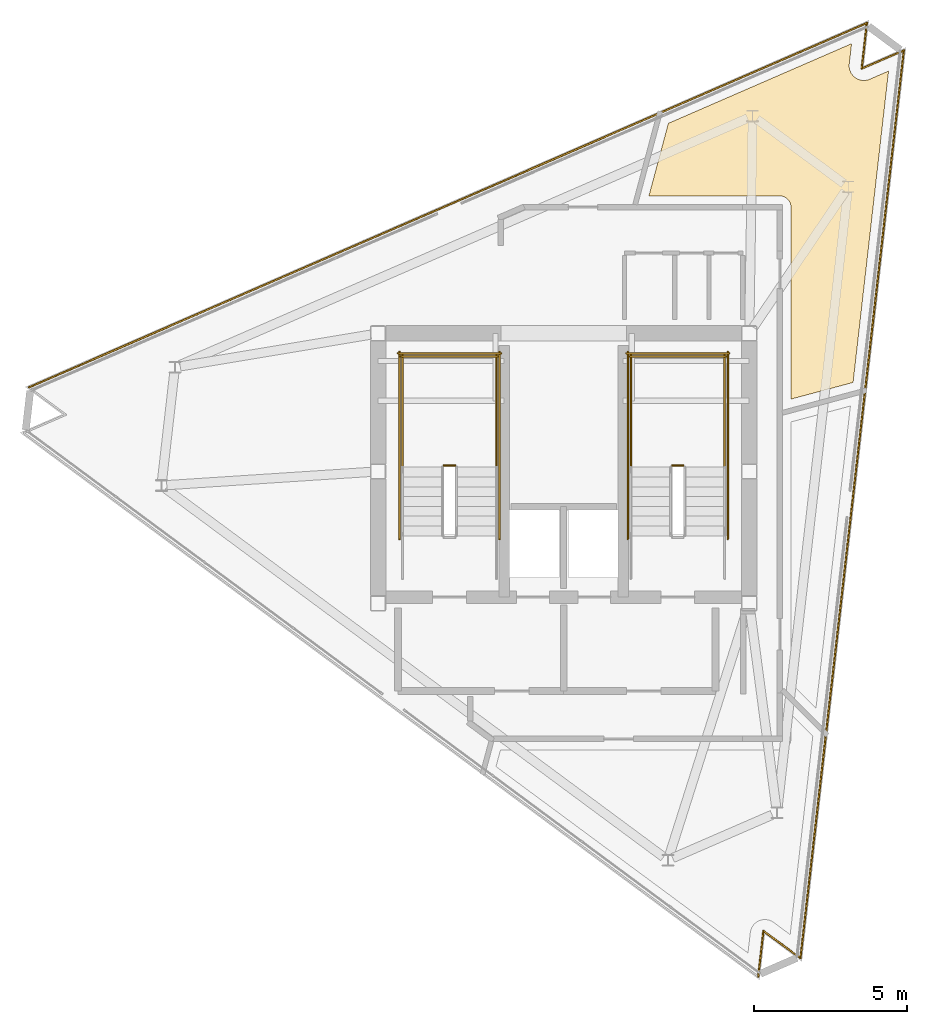
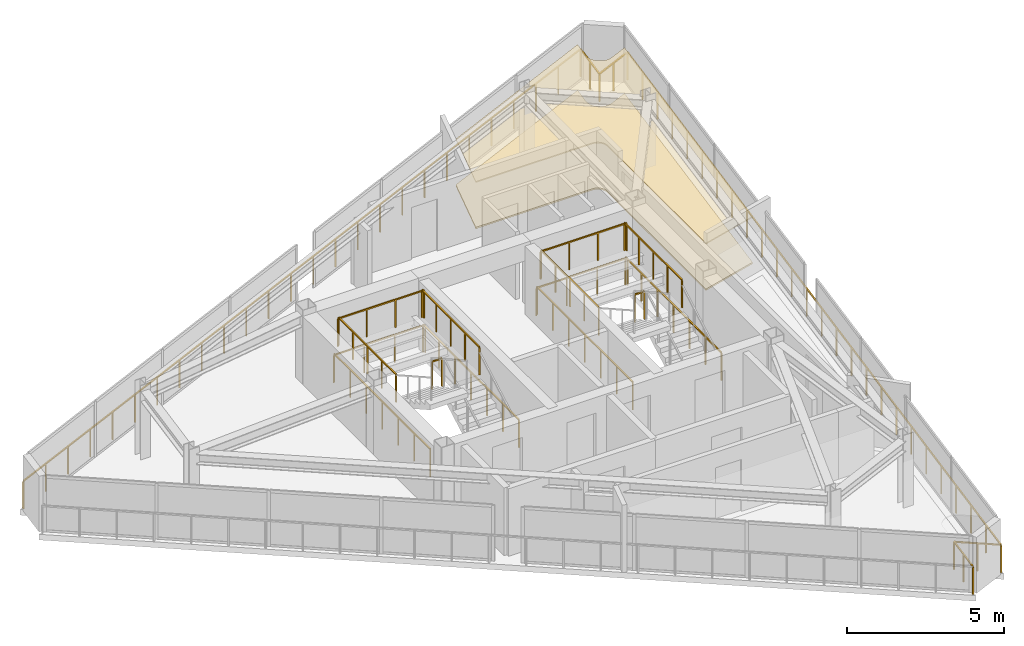
# One storey, part 9 of 9: 16 railings, 2 coverings.
"""IFC4 building model written with IfcOpenShell, lengths in metres."""

from ifc_helpers import new_model, si_unit, direction, frame, origin, origin_2d, place, context, subcontext, project, spatial, polyline, rectangle, outline, extrude, material, layer, layer_set, type_object, element, save


model = new_model("IFC4")

# Units and contexts
model_context = context("Model", 3, precision=1e-05, world=origin(), true_north=direction((0.0, 1.0)))
body_context = subcontext(model_context, "Body", "Model", "MODEL_VIEW")
ifc_project = project(units=[si_unit("LENGTHUNIT", "METRE"), si_unit("AREAUNIT", "SQUARE_METRE"), si_unit("VOLUMEUNIT", "CUBIC_METRE"), si_unit("PLANEANGLEUNIT", "RADIAN"), si_unit("MASSUNIT", "GRAM", prefix="KILO")], contexts=[model_context])

# Site, building, storey
site_placement = place(None, origin())
site = spatial("IfcSite", under=ifc_project, at=site_placement, CompositionType="ELEMENT")
building_placement = place(site_placement, origin())
building = spatial("IfcBuilding", under=site, at=building_placement, Name="Rocaltana Carrier Exchange", CompositionType="ELEMENT")
storey_placement = place(building_placement, frame((0.0, 0.0, 246.239990234375)))
storey = spatial("IfcBuildingStorey", under=building, at=storey_placement, Name="L78", CompositionType="ELEMENT", Elevation=246.239990234375)

# Coverings
ifc_material_1 = material(Name="Calcium Sulphate & Aluminium Pedestal", Category="aluminium")
ifc_layer_1 = layer(ifc_material_1, 0.06005859375)
ifc_layer_set_1 = layer_set([ifc_layer_1], Name="Calcium Sulphate & Aluminium Pedestal")
covering_type_1 = type_object("IfcCoveringType", Name="Anti-Static Raised Exchange Access Floor 60", PredefinedType="FLOORING", material=ifc_layer_set_1)
covering_1_placement = place(storey_placement, origin())
element("IfcCovering", 1, at=covering_1_placement, inside=storey, type_object=covering_type_1, Name="L78 Peering Conference Room Finish Floor", PredefinedType="FLOORING", context=body_context, shape_type="SweptSolid", body=[
    extrude(outline(polyline([(9.38623046875, 13.94580078125), (9.310546875, 13.28125), (9.309326171875, 13.267333984375), (9.30810546875, 13.24755859375), (9.3076171875, 13.219482421875), (9.308349609375, 13.19970703125), (9.310791015625, 13.171875), (9.3134765625, 13.152099609375), (9.318603515625, 13.124755859375), (9.3232421875, 13.105224609375), (9.331298828125, 13.07861328125), (9.337890625, 13.059814453125), (9.34814453125, 13.03369140625), (9.356689453125, 13.015625), (9.36962890625, 12.990966796875), (9.3798828125, 12.973876953125), (9.395263671875, 12.95068359375), (9.406982421875, 12.9345703125), (9.4248046875, 12.912841796875), (9.43798828125, 12.898193359375), (9.457763671875, 12.87841796875), (9.472412109375, 12.864990234375), (9.494140625, 12.847412109375), (9.51025390625, 12.83544921875), (9.533447265625, 12.81982421875), (9.550537109375, 12.809814453125), (9.5751953125, 12.796630859375), (9.59326171875, 12.7880859375), (9.619140625, 12.777587890625), (9.637939453125, 12.77099609375), (9.664794921875, 12.76318359375), (9.68408203125, 12.75830078125), (9.71142578125, 12.753173828125), (9.731201171875, 12.75048828125), (9.759033203125, 12.748046875), (9.77880859375, 12.747314453125), (9.806884765625, 12.74755859375), (9.826904296875, 12.748779296875), (9.8544921875, 12.751708984375), (9.874267578125, 12.7548828125), (9.901611328125, 12.760986328125), (9.920654296875, 12.76611328125), (9.947265625, 12.7744140625), (9.966064453125, 12.781494140625), (9.97900390625, 12.786865234375), (10.592041015625, 13.053466796875), (9.435302734375, 2.90087890625), (7.409912109375, 2.358154296875), (7.409912109375, 8.6201171875), (7.40966796875, 8.6337890625), (7.4091796875, 8.6416015625), (7.406494140625, 8.6689453125), (7.405517578125, 8.6767578125), (7.400146484375, 8.70361328125), (7.398193359375, 8.711181640625), (7.39013671875, 8.737548828125), (7.387451171875, 8.744873046875), (7.376953125, 8.770263671875), (7.373779296875, 8.77734375), (7.360595703125, 8.8017578125), (7.356689453125, 8.808349609375), (7.34130859375, 8.831298828125), (7.336669921875, 8.83740234375), (7.3193359375, 8.85888671875), (7.31396484375, 8.864501953125), (7.294677734375, 8.884033203125), (7.288818359375, 8.889404296875), (7.267578125, 8.90673828125), (7.26123046875, 8.911376953125), (7.23828125, 8.9267578125), (7.231689453125, 8.9306640625), (7.20751953125, 8.943603515625), (7.2001953125, 8.947021484375), (7.1748046875, 8.95751953125), (7.16748046875, 8.960205078125), (7.141357421875, 8.96826171875), (7.133544921875, 8.97021484375), (7.106689453125, 8.975341796875), (7.098876953125, 8.9765625), (7.071533203125, 8.979248046875), (7.063720703125, 8.979736328125), (7.050048828125, 8.97998046875), (2.77880859375, 8.97998046875), (3.41357421875, 11.3486328125), (9.38623046875, 13.94580078125)])), origin(), (0.0, 0.0, 1.0), 0.06005859375),
])
ifc_material_2 = material(Name="Mineral Fibre & Powder-Coated Aluminium", Category="aluminium")
ifc_layer_2 = layer(ifc_material_2, 0.044921875)
ifc_layer_set_2 = layer_set([ifc_layer_2], Name="Mineral Fibre & Powder-Coated Aluminium")
covering_type_2 = type_object("IfcCoveringType", Name="Micro-Perforated Acoustic Ceiling 45", PredefinedType="CEILING", material=ifc_layer_set_2)
covering_2_placement = place(storey_placement, frame((0.0, 0.0, 1.79296875)))
element("IfcCovering", 2, at=covering_2_placement, inside=storey, type_object=covering_type_2, Name="L78 Peering Conference Room Acoustic Ceiling", PredefinedType="CEILING", context=body_context, shape_type="SweptSolid", body=[
    extrude(outline(polyline([(9.38623046875, 13.94580078125), (9.310546875, 13.28125), (9.309326171875, 13.267333984375), (9.30810546875, 13.24755859375), (9.3076171875, 13.219482421875), (9.308349609375, 13.19970703125), (9.310791015625, 13.171875), (9.3134765625, 13.152099609375), (9.318603515625, 13.124755859375), (9.3232421875, 13.105224609375), (9.331298828125, 13.07861328125), (9.337890625, 13.059814453125), (9.34814453125, 13.03369140625), (9.356689453125, 13.015625), (9.36962890625, 12.990966796875), (9.3798828125, 12.973876953125), (9.395263671875, 12.95068359375), (9.406982421875, 12.9345703125), (9.4248046875, 12.912841796875), (9.43798828125, 12.898193359375), (9.457763671875, 12.87841796875), (9.472412109375, 12.864990234375), (9.494140625, 12.847412109375), (9.51025390625, 12.83544921875), (9.533447265625, 12.81982421875), (9.550537109375, 12.809814453125), (9.5751953125, 12.796630859375), (9.59326171875, 12.7880859375), (9.619140625, 12.777587890625), (9.637939453125, 12.77099609375), (9.664794921875, 12.76318359375), (9.68408203125, 12.75830078125), (9.71142578125, 12.753173828125), (9.731201171875, 12.75048828125), (9.759033203125, 12.748046875), (9.77880859375, 12.747314453125), (9.806884765625, 12.74755859375), (9.826904296875, 12.748779296875), (9.8544921875, 12.751708984375), (9.874267578125, 12.7548828125), (9.901611328125, 12.760986328125), (9.920654296875, 12.76611328125), (9.947265625, 12.7744140625), (9.966064453125, 12.781494140625), (9.97900390625, 12.786865234375), (10.592041015625, 13.053466796875), (9.435302734375, 2.90087890625), (7.409912109375, 2.358154296875), (7.409912109375, 8.6201171875), (7.40966796875, 8.6337890625), (7.4091796875, 8.6416015625), (7.406494140625, 8.6689453125), (7.405517578125, 8.6767578125), (7.400146484375, 8.70361328125), (7.398193359375, 8.711181640625), (7.39013671875, 8.737548828125), (7.387451171875, 8.744873046875), (7.376953125, 8.770263671875), (7.373779296875, 8.77734375), (7.360595703125, 8.8017578125), (7.356689453125, 8.808349609375), (7.34130859375, 8.831298828125), (7.336669921875, 8.83740234375), (7.3193359375, 8.85888671875), (7.31396484375, 8.864501953125), (7.294677734375, 8.884033203125), (7.288818359375, 8.889404296875), (7.267578125, 8.90673828125), (7.26123046875, 8.911376953125), (7.23828125, 8.9267578125), (7.231689453125, 8.9306640625), (7.20751953125, 8.943603515625), (7.2001953125, 8.947021484375), (7.1748046875, 8.95751953125), (7.16748046875, 8.960205078125), (7.141357421875, 8.96826171875), (7.133544921875, 8.97021484375), (7.106689453125, 8.975341796875), (7.098876953125, 8.9765625), (7.071533203125, 8.979248046875), (7.063720703125, 8.979736328125), (7.050048828125, 8.97998046875), (2.77880859375, 8.97998046875), (3.41357421875, 11.3486328125), (9.38623046875, 13.94580078125)])), origin(), (0.0, 0.0, 1.0), 0.044921875),
])

# Railings
ifc_material_3 = material(Name="Powder-Coated Aluminium 6063-T6", Category="aluminium")
ifc_layer_3 = layer(ifc_material_3, 0.048095703125)
ifc_layer_set_3 = layer_set([ifc_layer_3], Name="Powder-Coated Aluminium 6063-T6")
railing_type_1 = type_object("IfcRailingType", Name="Stair Well Guardrail 1100", PredefinedType="GUARDRAIL", material=ifc_layer_set_3)
railing_1_placement = place(storey_placement, frame((-3.5400390625, 0.18994140625, 1.43994140625)))
element("IfcRailing", 3, at=railing_1_placement, inside=storey, type_object=railing_type_1, Name="L78 ST-1 stair guard 2", PredefinedType="GUARDRAIL", context=body_context, shape_type="SweptSolid", body=[
    extrude(rectangle(XDim=0.048095703125, YDim=0.048095703125, at=origin_2d()), frame((0.0, 0.0, 1.076171875), z_axis=(-1.0, 0.0, 0.0), x_axis=(0.0, -1.0, 0.0)), (0.0, 0.0, 1.0), 0.35986328125),
    extrude(rectangle(XDim=0.0419921875, YDim=0.0419921875, at=origin_2d()), origin(), (0.0, 0.0, 1.0), 1.052001953125),
    extrude(rectangle(XDim=0.0419921875, YDim=0.0419921875, at=origin_2d()), frame((-0.35986328125, 0.0, 0.0)), (0.0, 0.0, 1.0), 1.052001953125),
])
for number, where, name in (
    (4, (-2.18994140625, 0.139892578125, 1.43994140625), "L78 ST-1 stair guard 3"),
    (5, (-5.25, 0.139892578125, 1.43994140625), "L78 ST-1 stair guard 4"),
):
    element("IfcRailing", number, at=place(storey_placement, frame(where)), inside=storey, type_object=railing_type_1, Name=name, PredefinedType="GUARDRAIL", context=body_context, shape_type="SweptSolid", body=[
        extrude(rectangle(XDim=0.048095703125, YDim=0.048095703125, at=origin_2d()), frame((0.0, 0.0, 1.076171875), z_axis=(0.0, 1.0, 0.0), x_axis=(-1.0, 0.0, 0.0)), (0.0, 0.0, 1.0), 3.66015625),
        extrude(rectangle(XDim=0.0419921875, YDim=0.0419921875, at=origin_2d()), origin(), (0.0, 0.0, 1.0), 1.052001953125),
        extrude(rectangle(XDim=0.0419921875, YDim=0.0419921875, at=origin_2d()), frame((0.0, 0.9150390625, 0.0)), (0.0, 0.0, 1.0), 1.052001953125),
        extrude(rectangle(XDim=0.0419921875, YDim=0.0419921875, at=origin_2d()), frame((0.0, 1.830078125, 0.0)), (0.0, 0.0, 1.0), 1.052001953125),
        extrude(rectangle(XDim=0.0419921875, YDim=0.0419921875, at=origin_2d()), frame((0.0, 2.7451171875, 0.0)), (0.0, 0.0, 1.0), 1.052001953125),
        extrude(rectangle(XDim=0.0419921875, YDim=0.0419921875, at=origin_2d()), frame((0.0, 3.66015625, 0.0)), (0.0, 0.0, 1.0), 1.052001953125),
    ])
railing_2_placement = place(storey_placement, frame((-2.139892578125, 3.75, 1.43994140625)))
element("IfcRailing", 6, at=railing_2_placement, inside=storey, type_object=railing_type_1, Name="L78 ST-1 stair guard 5", PredefinedType="GUARDRAIL", context=body_context, shape_type="SweptSolid", body=[
    extrude(rectangle(XDim=0.048095703125, YDim=0.048095703125, at=origin_2d()), frame((0.0, 0.0, 1.076171875), z_axis=(-1.0, 0.0, 0.0), x_axis=(0.0, -1.0, 0.0)), (0.0, 0.0, 1.0), 3.16015625),
    extrude(rectangle(XDim=0.0419921875, YDim=0.0419921875, at=origin_2d()), origin(), (0.0, 0.0, 1.0), 1.052001953125),
    extrude(rectangle(XDim=0.0419921875, YDim=0.0419921875, at=origin_2d()), frame((-1.053466796875, 0.0, 0.0)), (0.0, 0.0, 1.0), 1.052001953125),
    extrude(rectangle(XDim=0.0419921875, YDim=0.0419921875, at=origin_2d()), frame((-2.106689453125, 0.0, 0.0)), (0.0, 0.0, 1.0), 1.052001953125),
    extrude(rectangle(XDim=0.0419921875, YDim=0.0419921875, at=origin_2d()), frame((-3.16015625, 0.0, 0.0)), (0.0, 0.0, 1.0), 1.052001953125),
])
for number, where, name in (
    (7, (-2.090087890625, -2.199951171875, 0.0), "L78 ST-1 stair guard 10"),
    (8, (-5.35009765625, -2.199951171875, 0.0), "L78 ST-1 stair guard 11"),
):
    element("IfcRailing", number, at=place(storey_placement, frame(where)), inside=storey, type_object=railing_type_1, Name=name, PredefinedType="GUARDRAIL", context=body_context, shape_type="SweptSolid", body=[
        extrude(rectangle(XDim=0.048095703125, YDim=0.048095703125, at=origin_2d()), frame((0.0, 0.0, 1.076171875), z_axis=(0.0, 1.0, 0.0), x_axis=(-1.0, 0.0, 0.0)), (0.0, 0.0, 1.0), 6.099853515625),
        extrude(rectangle(XDim=0.0419921875, YDim=0.0419921875, at=origin_2d()), origin(), (0.0, 0.0, 1.0), 1.052001953125),
        extrude(rectangle(XDim=0.0419921875, YDim=0.0419921875, at=origin_2d()), frame((0.0, 1.0166015625, 0.0)), (0.0, 0.0, 1.0), 1.052001953125),
        extrude(rectangle(XDim=0.0419921875, YDim=0.0419921875, at=origin_2d()), frame((0.0, 2.033203125, 0.0)), (0.0, 0.0, 1.0), 1.052001953125),
        extrude(rectangle(XDim=0.0419921875, YDim=0.0419921875, at=origin_2d()), frame((0.0, 3.0498046875, 0.0)), (0.0, 0.0, 1.0), 1.052001953125),
        extrude(rectangle(XDim=0.0419921875, YDim=0.0419921875, at=origin_2d()), frame((0.0, 4.066650390625, 0.0)), (0.0, 0.0, 1.0), 1.052001953125),
        extrude(rectangle(XDim=0.0419921875, YDim=0.0419921875, at=origin_2d()), frame((0.0, 5.083251953125, 0.0)), (0.0, 0.0, 1.0), 1.052001953125),
        extrude(rectangle(XDim=0.0419921875, YDim=0.0419921875, at=origin_2d()), frame((0.0, 6.099853515625, 0.0)), (0.0, 0.0, 1.0), 1.052001953125),
    ])
railing_3_placement = place(storey_placement, frame((-2.0400390625, 3.85009765625, 0.0)))
element("IfcRailing", 9, at=railing_3_placement, inside=storey, type_object=railing_type_1, Name="L78 ST-1 stair guard 12", PredefinedType="GUARDRAIL", context=body_context, shape_type="SweptSolid", body=[
    extrude(rectangle(XDim=0.048095703125, YDim=0.048095703125, at=origin_2d()), frame((0.0, 0.0, 1.076171875), z_axis=(-1.0, 0.0, 0.0), x_axis=(0.0, -1.0, 0.0)), (0.0, 0.0, 1.0), 3.35986328125),
    extrude(rectangle(XDim=0.0419921875, YDim=0.0419921875, at=origin_2d()), origin(), (0.0, 0.0, 1.0), 1.052001953125),
    extrude(rectangle(XDim=0.0419921875, YDim=0.0419921875, at=origin_2d()), frame((-1.119873046875, 0.0, 0.0)), (0.0, 0.0, 1.0), 1.052001953125),
    extrude(rectangle(XDim=0.0419921875, YDim=0.0419921875, at=origin_2d()), frame((-2.239990234375, 0.0, 0.0)), (0.0, 0.0, 1.0), 1.052001953125),
    extrude(rectangle(XDim=0.0419921875, YDim=0.0419921875, at=origin_2d()), frame((-3.35986328125, 0.0, 0.0)), (0.0, 0.0, 1.0), 1.052001953125),
])
railing_4_placement = place(storey_placement, frame((3.89990234375, 0.18994140625, 1.43994140625)))
element("IfcRailing", 10, at=railing_4_placement, inside=storey, type_object=railing_type_1, Name="L78 ST-2 stair guard 2", PredefinedType="GUARDRAIL", context=body_context, shape_type="SweptSolid", body=[
    extrude(rectangle(XDim=0.048095703125, YDim=0.048095703125, at=origin_2d()), frame((0.0, 0.0, 1.076171875), z_axis=(-1.0, 0.0, 0.0), x_axis=(0.0, -1.0, 0.0)), (0.0, 0.0, 1.0), 0.35986328125),
    extrude(rectangle(XDim=0.0419921875, YDim=0.0419921875, at=origin_2d()), origin(), (0.0, 0.0, 1.0), 1.052001953125),
    extrude(rectangle(XDim=0.0419921875, YDim=0.0419921875, at=origin_2d()), frame((-0.35986328125, 0.0, 0.0)), (0.0, 0.0, 1.0), 1.052001953125),
])
for number, where, name in (
    (11, (5.25, 0.139892578125, 1.43994140625), "L78 ST-2 stair guard 3"),
    (12, (2.18994140625, 0.139892578125, 1.43994140625), "L78 ST-2 stair guard 4"),
):
    element("IfcRailing", number, at=place(storey_placement, frame(where)), inside=storey, type_object=railing_type_1, Name=name, PredefinedType="GUARDRAIL", context=body_context, shape_type="SweptSolid", body=[
        extrude(rectangle(XDim=0.048095703125, YDim=0.048095703125, at=origin_2d()), frame((0.0, 0.0, 1.076171875), z_axis=(0.0, 1.0, 0.0), x_axis=(-1.0, 0.0, 0.0)), (0.0, 0.0, 1.0), 3.66015625),
        extrude(rectangle(XDim=0.0419921875, YDim=0.0419921875, at=origin_2d()), origin(), (0.0, 0.0, 1.0), 1.052001953125),
        extrude(rectangle(XDim=0.0419921875, YDim=0.0419921875, at=origin_2d()), frame((0.0, 0.9150390625, 0.0)), (0.0, 0.0, 1.0), 1.052001953125),
        extrude(rectangle(XDim=0.0419921875, YDim=0.0419921875, at=origin_2d()), frame((0.0, 1.830078125, 0.0)), (0.0, 0.0, 1.0), 1.052001953125),
        extrude(rectangle(XDim=0.0419921875, YDim=0.0419921875, at=origin_2d()), frame((0.0, 2.7451171875, 0.0)), (0.0, 0.0, 1.0), 1.052001953125),
        extrude(rectangle(XDim=0.0419921875, YDim=0.0419921875, at=origin_2d()), frame((0.0, 3.66015625, 0.0)), (0.0, 0.0, 1.0), 1.052001953125),
    ])
railing_5_placement = place(storey_placement, frame((5.300048828125, 3.75, 1.43994140625)))
element("IfcRailing", 13, at=railing_5_placement, inside=storey, type_object=railing_type_1, Name="L78 ST-2 stair guard 5", PredefinedType="GUARDRAIL", context=body_context, shape_type="SweptSolid", body=[
    extrude(rectangle(XDim=0.048095703125, YDim=0.048095703125, at=origin_2d()), frame((0.0, 0.0, 1.076171875), z_axis=(-1.0, 0.0, 0.0), x_axis=(0.0, -1.0, 0.0)), (0.0, 0.0, 1.0), 3.16015625),
    extrude(rectangle(XDim=0.0419921875, YDim=0.0419921875, at=origin_2d()), origin(), (0.0, 0.0, 1.0), 1.052001953125),
    extrude(rectangle(XDim=0.0419921875, YDim=0.0419921875, at=origin_2d()), frame((-1.053466796875, 0.0, 0.0)), (0.0, 0.0, 1.0), 1.052001953125),
    extrude(rectangle(XDim=0.0419921875, YDim=0.0419921875, at=origin_2d()), frame((-2.106689453125, 0.0, 0.0)), (0.0, 0.0, 1.0), 1.052001953125),
    extrude(rectangle(XDim=0.0419921875, YDim=0.0419921875, at=origin_2d()), frame((-3.16015625, 0.0, 0.0)), (0.0, 0.0, 1.0), 1.052001953125),
])
for number, where, name in (
    (14, (5.35009765625, -2.199951171875, 0.0), "L78 ST-2 stair guard 10"),
    (15, (2.090087890625, -2.199951171875, 0.0), "L78 ST-2 stair guard 11"),
):
    element("IfcRailing", number, at=place(storey_placement, frame(where)), inside=storey, type_object=railing_type_1, Name=name, PredefinedType="GUARDRAIL", context=body_context, shape_type="SweptSolid", body=[
        extrude(rectangle(XDim=0.048095703125, YDim=0.048095703125, at=origin_2d()), frame((0.0, 0.0, 1.076171875), z_axis=(0.0, 1.0, 0.0), x_axis=(-1.0, 0.0, 0.0)), (0.0, 0.0, 1.0), 6.099853515625),
        extrude(rectangle(XDim=0.0419921875, YDim=0.0419921875, at=origin_2d()), origin(), (0.0, 0.0, 1.0), 1.052001953125),
        extrude(rectangle(XDim=0.0419921875, YDim=0.0419921875, at=origin_2d()), frame((0.0, 1.0166015625, 0.0)), (0.0, 0.0, 1.0), 1.052001953125),
        extrude(rectangle(XDim=0.0419921875, YDim=0.0419921875, at=origin_2d()), frame((0.0, 2.033203125, 0.0)), (0.0, 0.0, 1.0), 1.052001953125),
        extrude(rectangle(XDim=0.0419921875, YDim=0.0419921875, at=origin_2d()), frame((0.0, 3.0498046875, 0.0)), (0.0, 0.0, 1.0), 1.052001953125),
        extrude(rectangle(XDim=0.0419921875, YDim=0.0419921875, at=origin_2d()), frame((0.0, 4.066650390625, 0.0)), (0.0, 0.0, 1.0), 1.052001953125),
        extrude(rectangle(XDim=0.0419921875, YDim=0.0419921875, at=origin_2d()), frame((0.0, 5.083251953125, 0.0)), (0.0, 0.0, 1.0), 1.052001953125),
        extrude(rectangle(XDim=0.0419921875, YDim=0.0419921875, at=origin_2d()), frame((0.0, 6.099853515625, 0.0)), (0.0, 0.0, 1.0), 1.052001953125),
    ])
railing_6_placement = place(storey_placement, frame((5.39990234375, 3.85009765625, 0.0)))
element("IfcRailing", 16, at=railing_6_placement, inside=storey, type_object=railing_type_1, Name="L78 ST-2 stair guard 12", PredefinedType="GUARDRAIL", context=body_context, shape_type="SweptSolid", body=[
    extrude(rectangle(XDim=0.048095703125, YDim=0.048095703125, at=origin_2d()), frame((0.0, 0.0, 1.076171875), z_axis=(-1.0, 0.0, 0.0), x_axis=(0.0, -1.0, 0.0)), (0.0, 0.0, 1.0), 3.35986328125),
    extrude(rectangle(XDim=0.0419921875, YDim=0.0419921875, at=origin_2d()), origin(), (0.0, 0.0, 1.0), 1.052001953125),
    extrude(rectangle(XDim=0.0419921875, YDim=0.0419921875, at=origin_2d()), frame((-1.119873046875, 0.0, 0.0)), (0.0, 0.0, 1.0), 1.052001953125),
    extrude(rectangle(XDim=0.0419921875, YDim=0.0419921875, at=origin_2d()), frame((-2.239990234375, 0.0, 0.0)), (0.0, 0.0, 1.0), 1.052001953125),
    extrude(rectangle(XDim=0.0419921875, YDim=0.0419921875, at=origin_2d()), frame((-3.35986328125, 0.0, 0.0)), (0.0, 0.0, 1.0), 1.052001953125),
])
ifc_material_4 = material(Name="Powder-Coated Aluminium 6063-T6", Category="aluminium")
ifc_layer_4 = layer(ifc_material_4, 0.06005859375)
ifc_layer_set_4 = layer_set([ifc_layer_4], Name="Powder-Coated Aluminium 6063-T6")
railing_type_2 = type_object("IfcRailingType", Name="Wind-Floor & Terrace Perimeter Guardrail 1100", PredefinedType="GUARDRAIL", material=ifc_layer_set_4)
railing_7_placement = place(storey_placement, frame((-17.435302734375, 2.7412109375, 0.0)))
element("IfcRailing", 17, at=railing_7_placement, inside=storey, type_object=railing_type_2, Name="L78 Perimeter Balcony Guardrail 2", PredefinedType="GUARDRAIL", context=body_context, shape_type="SweptSolid", body=[
    extrude(rectangle(XDim=0.048095703125, YDim=0.048095703125, at=origin_2d()), frame((0.0, 0.0, 1.076171875), z_axis=(0.917060024213, 0.398749184314, 0.0), x_axis=(-0.398749184314, 0.917060024213, 0.0)), (0.0, 0.0, 1.0), 29.792236328125),
    extrude(rectangle(XDim=0.048095703125, YDim=0.048095703125, at=origin_2d()), frame((27.3212890625, 11.879638671875, 1.076171875), z_axis=(-0.113289509458, -0.993562019728, 0.0), x_axis=(0.993562019728, -0.113289509458, 0.0)), (0.0, 0.0, 1.0), 1.5),
    extrude(rectangle(XDim=0.048095703125, YDim=0.048095703125, at=origin_2d()), frame((27.1513671875, 10.389404296875, 1.076171875), z_axis=(0.917070056253, 0.398726111414, 0.0), x_axis=(-0.398726111414, 0.917070056253, 0.0)), (0.0, 0.0, 1.0), 1.500244140625),
    extrude(rectangle(XDim=0.0419921875, YDim=0.0419921875, at=origin_2d()), origin(), (0.0, 0.0, 1.0), 1.052001953125),
    extrude(rectangle(XDim=0.0419921875, YDim=0.0419921875, at=origin_2d()), frame((1.0927734375, 0.47509765625, 0.0)), (0.0, 0.0, 1.0), 1.052001953125),
    extrude(rectangle(XDim=0.0419921875, YDim=0.0419921875, at=origin_2d()), frame((2.185791015625, 0.950439453125, 0.0)), (0.0, 0.0, 1.0), 1.052001953125),
    extrude(rectangle(XDim=0.0419921875, YDim=0.0419921875, at=origin_2d()), frame((3.278564453125, 1.425537109375, 0.0)), (0.0, 0.0, 1.0), 1.052001953125),
    extrude(rectangle(XDim=0.0419921875, YDim=0.0419921875, at=origin_2d()), frame((4.371337890625, 1.900634765625, 0.0)), (0.0, 0.0, 1.0), 1.052001953125),
    extrude(rectangle(XDim=0.0419921875, YDim=0.0419921875, at=origin_2d()), frame((5.46435546875, 2.3759765625, 0.0)), (0.0, 0.0, 1.0), 1.052001953125),
    extrude(rectangle(XDim=0.0419921875, YDim=0.0419921875, at=origin_2d()), frame((6.55712890625, 2.85107421875, 0.0)), (0.0, 0.0, 1.0), 1.052001953125),
    extrude(rectangle(XDim=0.0419921875, YDim=0.0419921875, at=origin_2d()), frame((7.64990234375, 3.326416015625, 0.0)), (0.0, 0.0, 1.0), 1.052001953125),
    extrude(rectangle(XDim=0.0419921875, YDim=0.0419921875, at=origin_2d()), frame((8.742919921875, 3.801513671875, 0.0)), (0.0, 0.0, 1.0), 1.052001953125),
    extrude(rectangle(XDim=0.0419921875, YDim=0.0419921875, at=origin_2d()), frame((9.835693359375, 4.276611328125, 0.0)), (0.0, 0.0, 1.0), 1.052001953125),
    extrude(rectangle(XDim=0.0419921875, YDim=0.0419921875, at=origin_2d()), frame((10.928466796875, 4.751953125, 0.0)), (0.0, 0.0, 1.0), 1.052001953125),
    extrude(rectangle(XDim=0.0419921875, YDim=0.0419921875, at=origin_2d()), frame((12.021484375, 5.22705078125, 0.0)), (0.0, 0.0, 1.0), 1.052001953125),
    extrude(rectangle(XDim=0.0419921875, YDim=0.0419921875, at=origin_2d()), frame((13.1142578125, 5.7021484375, 0.0)), (0.0, 0.0, 1.0), 1.052001953125),
    extrude(rectangle(XDim=0.0419921875, YDim=0.0419921875, at=origin_2d()), frame((14.20703125, 6.177490234375, 0.0)), (0.0, 0.0, 1.0), 1.052001953125),
    extrude(rectangle(XDim=0.0419921875, YDim=0.0419921875, at=origin_2d()), frame((15.2998046875, 6.652587890625, 0.0)), (0.0, 0.0, 1.0), 1.052001953125),
    extrude(rectangle(XDim=0.0419921875, YDim=0.0419921875, at=origin_2d()), frame((16.392822265625, 7.127685546875, 0.0)), (0.0, 0.0, 1.0), 1.052001953125),
    extrude(rectangle(XDim=0.0419921875, YDim=0.0419921875, at=origin_2d()), frame((17.485595703125, 7.60302734375, 0.0)), (0.0, 0.0, 1.0), 1.052001953125),
    extrude(rectangle(XDim=0.0419921875, YDim=0.0419921875, at=origin_2d()), frame((18.578369140625, 8.078125, 0.0)), (0.0, 0.0, 1.0), 1.052001953125),
    extrude(rectangle(XDim=0.0419921875, YDim=0.0419921875, at=origin_2d()), frame((19.67138671875, 8.55322265625, 0.0)), (0.0, 0.0, 1.0), 1.052001953125),
    extrude(rectangle(XDim=0.0419921875, YDim=0.0419921875, at=origin_2d()), frame((20.76416015625, 9.028564453125, 0.0)), (0.0, 0.0, 1.0), 1.052001953125),
    extrude(rectangle(XDim=0.0419921875, YDim=0.0419921875, at=origin_2d()), frame((21.85693359375, 9.503662109375, 0.0)), (0.0, 0.0, 1.0), 1.052001953125),
    extrude(rectangle(XDim=0.0419921875, YDim=0.0419921875, at=origin_2d()), frame((22.949951171875, 9.97900390625, 0.0)), (0.0, 0.0, 1.0), 1.052001953125),
    extrude(rectangle(XDim=0.0419921875, YDim=0.0419921875, at=origin_2d()), frame((24.042724609375, 10.4541015625, 0.0)), (0.0, 0.0, 1.0), 1.052001953125),
    extrude(rectangle(XDim=0.0419921875, YDim=0.0419921875, at=origin_2d()), frame((25.135498046875, 10.92919921875, 0.0)), (0.0, 0.0, 1.0), 1.052001953125),
    extrude(rectangle(XDim=0.0419921875, YDim=0.0419921875, at=origin_2d()), frame((26.228515625, 11.404541015625, 0.0)), (0.0, 0.0, 1.0), 1.052001953125),
    extrude(rectangle(XDim=0.0419921875, YDim=0.0419921875, at=origin_2d()), frame((27.3212890625, 11.879638671875, 0.0)), (0.0, 0.0, 1.0), 1.052001953125),
    extrude(rectangle(XDim=0.0419921875, YDim=0.0419921875, at=origin_2d()), frame((27.236328125, 11.134521484375, 0.0)), (0.0, 0.0, 1.0), 1.052001953125),
    extrude(rectangle(XDim=0.0419921875, YDim=0.0419921875, at=origin_2d()), frame((27.1513671875, 10.389404296875, 0.0)), (0.0, 0.0, 1.0), 1.052001953125),
    extrude(rectangle(XDim=0.0419921875, YDim=0.0419921875, at=origin_2d()), frame((27.83935546875, 10.6884765625, 0.0)), (0.0, 0.0, 1.0), 1.052001953125),
    extrude(rectangle(XDim=0.0419921875, YDim=0.0419921875, at=origin_2d()), frame((28.527099609375, 10.987548828125, 0.0)), (0.0, 0.0, 1.0), 1.052001953125),
])
railing_8_placement = place(storey_placement, frame((11.091796875, 13.728759765625, 0.0)))
element("IfcRailing", 18, at=railing_8_placement, inside=storey, type_object=railing_type_2, Name="L78 Perimeter Balcony Guardrail 3", PredefinedType="GUARDRAIL", context=body_context, shape_type="SweptSolid", body=[
    extrude(rectangle(XDim=0.048095703125, YDim=0.048095703125, at=origin_2d()), frame((0.0, 0.0, 1.076171875), z_axis=(-0.113203141826, -0.993571863873, 0.0), x_axis=(0.993571863873, -0.113203141826, 0.0)), (0.0, 0.0, 1.0), 29.7919921875),
    extrude(rectangle(XDim=0.048095703125, YDim=0.048095703125, at=origin_2d()), frame((-3.37255859375, -29.6005859375, 1.076171875), z_axis=(-0.803888583426, 0.594779913445, 0.0), x_axis=(-0.594779913445, -0.803888583426, 0.0)), (0.0, 0.0, 1.0), 1.500244140625),
    extrude(rectangle(XDim=0.048095703125, YDim=0.048095703125, at=origin_2d()), frame((-4.57861328125, -28.708251953125, 1.076171875), z_axis=(-0.113092240869, -0.993584493164, 0.0), x_axis=(0.993584493164, -0.113092240869, 0.0)), (0.0, 0.0, 1.0), 1.500244140625),
    extrude(rectangle(XDim=0.0419921875, YDim=0.0419921875, at=origin_2d()), origin(), (0.0, 0.0, 1.0), 1.052001953125),
    extrude(rectangle(XDim=0.0419921875, YDim=0.0419921875, at=origin_2d()), frame((-0.135009765625, -1.18408203125, 0.0)), (0.0, 0.0, 1.0), 1.052001953125),
    extrude(rectangle(XDim=0.0419921875, YDim=0.0419921875, at=origin_2d()), frame((-0.269775390625, -2.3681640625, 0.0)), (0.0, 0.0, 1.0), 1.052001953125),
    extrude(rectangle(XDim=0.0419921875, YDim=0.0419921875, at=origin_2d()), frame((-0.40478515625, -3.552001953125, 0.0)), (0.0, 0.0, 1.0), 1.052001953125),
    extrude(rectangle(XDim=0.0419921875, YDim=0.0419921875, at=origin_2d()), frame((-0.53955078125, -4.736083984375, 0.0)), (0.0, 0.0, 1.0), 1.052001953125),
    extrude(rectangle(XDim=0.0419921875, YDim=0.0419921875, at=origin_2d()), frame((-0.674560546875, -5.920166015625, 0.0)), (0.0, 0.0, 1.0), 1.052001953125),
    extrude(rectangle(XDim=0.0419921875, YDim=0.0419921875, at=origin_2d()), frame((-0.809326171875, -7.104248046875, 0.0)), (0.0, 0.0, 1.0), 1.052001953125),
    extrude(rectangle(XDim=0.0419921875, YDim=0.0419921875, at=origin_2d()), frame((-0.9443359375, -8.2880859375, 0.0)), (0.0, 0.0, 1.0), 1.052001953125),
    extrude(rectangle(XDim=0.0419921875, YDim=0.0419921875, at=origin_2d()), frame((-1.0791015625, -9.47216796875, 0.0)), (0.0, 0.0, 1.0), 1.052001953125),
    extrude(rectangle(XDim=0.0419921875, YDim=0.0419921875, at=origin_2d()), frame((-1.214111328125, -10.65625, 0.0)), (0.0, 0.0, 1.0), 1.052001953125),
    extrude(rectangle(XDim=0.0419921875, YDim=0.0419921875, at=origin_2d()), frame((-1.34912109375, -11.84033203125, 0.0)), (0.0, 0.0, 1.0), 1.052001953125),
    extrude(rectangle(XDim=0.0419921875, YDim=0.0419921875, at=origin_2d()), frame((-1.48388671875, -13.024169921875, 0.0)), (0.0, 0.0, 1.0), 1.052001953125),
    extrude(rectangle(XDim=0.0419921875, YDim=0.0419921875, at=origin_2d()), frame((-1.618896484375, -14.208251953125, 0.0)), (0.0, 0.0, 1.0), 1.052001953125),
    extrude(rectangle(XDim=0.0419921875, YDim=0.0419921875, at=origin_2d()), frame((-1.753662109375, -15.392333984375, 0.0)), (0.0, 0.0, 1.0), 1.052001953125),
    extrude(rectangle(XDim=0.0419921875, YDim=0.0419921875, at=origin_2d()), frame((-1.888671875, -16.576416015625, 0.0)), (0.0, 0.0, 1.0), 1.052001953125),
    extrude(rectangle(XDim=0.0419921875, YDim=0.0419921875, at=origin_2d()), frame((-2.0234375, -17.76025390625, 0.0)), (0.0, 0.0, 1.0), 1.052001953125),
    extrude(rectangle(XDim=0.0419921875, YDim=0.0419921875, at=origin_2d()), frame((-2.158447265625, -18.9443359375, 0.0)), (0.0, 0.0, 1.0), 1.052001953125),
    extrude(rectangle(XDim=0.0419921875, YDim=0.0419921875, at=origin_2d()), frame((-2.29345703125, -20.12841796875, 0.0)), (0.0, 0.0, 1.0), 1.052001953125),
    extrude(rectangle(XDim=0.0419921875, YDim=0.0419921875, at=origin_2d()), frame((-2.42822265625, -21.3125, 0.0)), (0.0, 0.0, 1.0), 1.052001953125),
    extrude(rectangle(XDim=0.0419921875, YDim=0.0419921875, at=origin_2d()), frame((-2.563232421875, -22.496337890625, 0.0)), (0.0, 0.0, 1.0), 1.052001953125),
    extrude(rectangle(XDim=0.0419921875, YDim=0.0419921875, at=origin_2d()), frame((-2.697998046875, -23.680419921875, 0.0)), (0.0, 0.0, 1.0), 1.052001953125),
    extrude(rectangle(XDim=0.0419921875, YDim=0.0419921875, at=origin_2d()), frame((-2.8330078125, -24.864501953125, 0.0)), (0.0, 0.0, 1.0), 1.052001953125),
    extrude(rectangle(XDim=0.0419921875, YDim=0.0419921875, at=origin_2d()), frame((-2.9677734375, -26.048583984375, 0.0)), (0.0, 0.0, 1.0), 1.052001953125),
    extrude(rectangle(XDim=0.0419921875, YDim=0.0419921875, at=origin_2d()), frame((-3.102783203125, -27.232421875, 0.0)), (0.0, 0.0, 1.0), 1.052001953125),
    extrude(rectangle(XDim=0.0419921875, YDim=0.0419921875, at=origin_2d()), frame((-3.237548828125, -28.41650390625, 0.0)), (0.0, 0.0, 1.0), 1.052001953125),
    extrude(rectangle(XDim=0.0419921875, YDim=0.0419921875, at=origin_2d()), frame((-3.37255859375, -29.6005859375, 0.0)), (0.0, 0.0, 1.0), 1.052001953125),
    extrude(rectangle(XDim=0.0419921875, YDim=0.0419921875, at=origin_2d()), frame((-3.9755859375, -29.154296875, 0.0)), (0.0, 0.0, 1.0), 1.052001953125),
    extrude(rectangle(XDim=0.0419921875, YDim=0.0419921875, at=origin_2d()), frame((-4.57861328125, -28.708251953125, 0.0)), (0.0, 0.0, 1.0), 1.052001953125),
    extrude(rectangle(XDim=0.0419921875, YDim=0.0419921875, at=origin_2d()), frame((-4.66357421875, -29.45361328125, 0.0)), (0.0, 0.0, 1.0), 1.052001953125),
    extrude(rectangle(XDim=0.0419921875, YDim=0.0419921875, at=origin_2d()), frame((-4.748291015625, -30.198974609375, 0.0)), (0.0, 0.0, 1.0), 1.052001953125),
])

save(model, "model.ifc")
